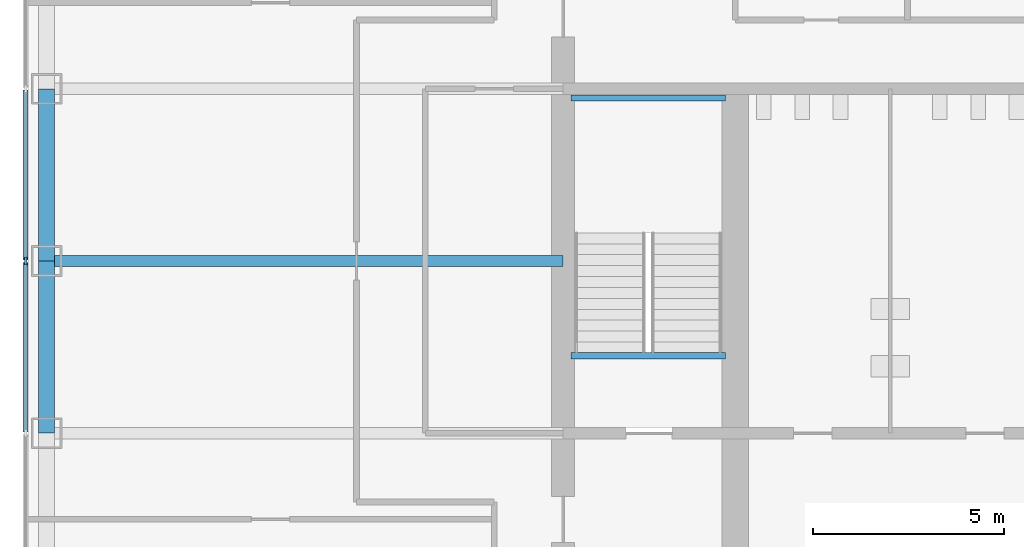
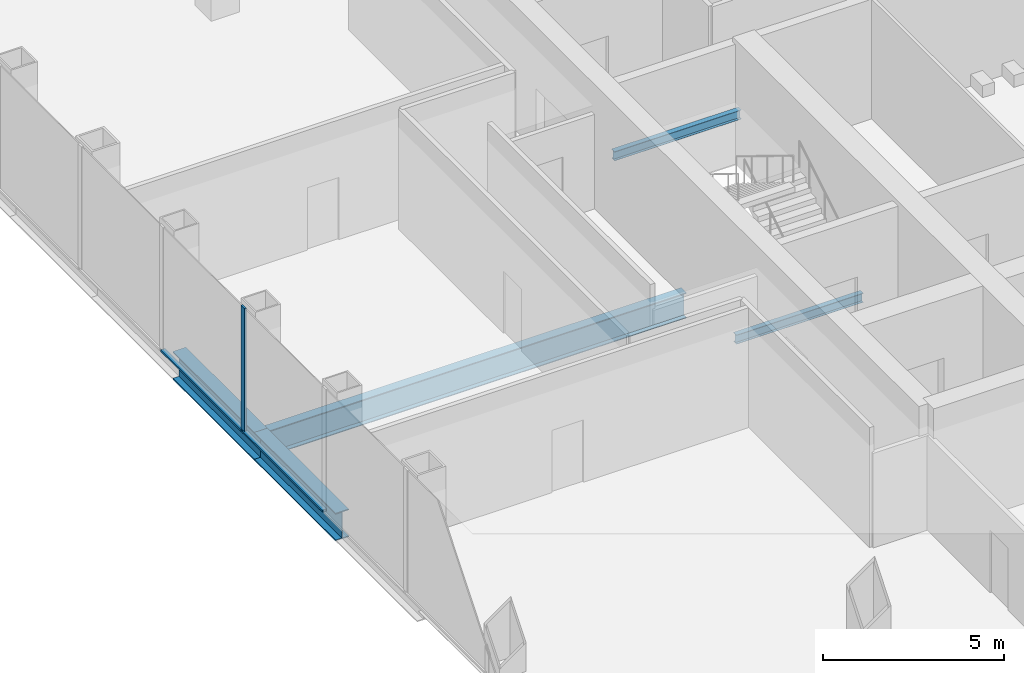
# One storey, part 3 of 13: 5 beams, 3 members, 1 element without a shape of its own.
"""IFC4 building model written with IfcOpenShell, lengths in metres."""

from ifc_helpers import new_model, si_unit, direction, frame, origin, origin_2d, place, context, subcontext, project, spatial, rectangle, i_section, extrude, material, material_profile, profile_set, type_object, element, aggregate, save


model = new_model("IFC4")

# Units and contexts
model_context = context("Model", 3, precision=1e-05, world=origin(), true_north=direction((0.0, 1.0)))
body_context = subcontext(model_context, "Body", "Model", "MODEL_VIEW")
ifc_project = project(units=[si_unit("LENGTHUNIT", "METRE"), si_unit("AREAUNIT", "SQUARE_METRE"), si_unit("VOLUMEUNIT", "CUBIC_METRE"), si_unit("PLANEANGLEUNIT", "RADIAN"), si_unit("MASSUNIT", "GRAM", prefix="KILO")], contexts=[model_context])

# Site, building, storey
site_placement = place(None, origin())
site = spatial("IfcSite", under=ifc_project, at=site_placement, CompositionType="ELEMENT")
building_placement = place(site_placement, origin())
building = spatial("IfcBuilding", under=site, at=building_placement, Name="Corais Broadcast Tower", CompositionType="ELEMENT")
storey_placement = place(building_placement, frame((0.0, 0.0, 96.199951171875)))
storey = spatial("IfcBuildingStorey", under=building, at=storey_placement, Name="L21", CompositionType="ELEMENT", Elevation=96.199951171875)

# Beams
ifc_material_1 = material(Name="Steel ASTM A572 Grade 50", Category="steel")
ifc_material_profile_1 = material_profile(ifc_material_1, i_section(OverallWidth=0.2939453125, OverallDepth=0.85107421875, WebThickness=0.01611328125, FlangeThickness=0.02685546875, at=origin_2d()), Name="W840x226")
ifc_profile_set_1 = profile_set([ifc_material_profile_1], Name="Steel ASTM A572 Grade 50")
beam_type_1 = type_object("IfcBeamType", Name="Floor beam W840x226", PredefinedType="BEAM", material=ifc_profile_set_1)
beam_placement = place(storey_placement, frame((0.0, 27.0, -0.58544921875), z_axis=(1.0, 0.0, 0.0), x_axis=(0.0, 1.0, 0.0)))
element("IfcBeam", 1, at=beam_placement, inside=storey, type_object=beam_type_1, Name="B1 G/3 to G/6", PredefinedType="BEAM", context=body_context, shape_type="SweptSolid", body=[
    extrude(i_section(OverallWidth=0.2939453125, OverallDepth=0.85107421875, WebThickness=0.01611328125, FlangeThickness=0.02685546875, at=origin_2d()), origin(), (0.0, 0.0, 1.0), 13.5),
])
ifc_material_2 = material(Name="Steel ASTM A572 Grade 50", Category="steel")
ifc_material_profile_2 = material_profile(ifc_material_2, i_section(OverallWidth=0.1650390625, OverallDepth=0.31005859375, WebThickness=0.005859375, FlangeThickness=0.009765625, at=origin_2d()), Name="W310x38.7")
ifc_profile_set_2 = profile_set([ifc_material_profile_2], Name="Steel ASTM A572 Grade 50")
beam_type_2 = type_object("IfcBeamType", Name="Landing trimmer W310x38.7", PredefinedType="BEAM", material=ifc_profile_set_2)
for number, where, z_axis, x_axis, name in (
    (2, (13.699951171875, 24.52490234375, -0.35498046875), (1.0, 0.0, 0.0), (0.0, 1.0, 0.0), "LT1 stair A landing trimmer L21"),
    (3, (13.699951171875, 31.260009765625, 1.7451171875), (1.0, 0.0, 0.0), (0.0, 1.0, 0.0), "LT1 stair A half landing trimmer L21"),
):
    element("IfcBeam", number, at=place(storey_placement, frame(where, z_axis=z_axis, x_axis=x_axis)), inside=storey, type_object=beam_type_2, Name=name, PredefinedType="BEAM", context=body_context, shape_type="SweptSolid", body=[
        extrude(i_section(OverallWidth=0.1650390625, OverallDepth=0.31005859375, WebThickness=0.005859375, FlangeThickness=0.009765625, at=origin_2d()), origin(), (0.0, 0.0, 1.0), 4.050048828125),
    ])

# Curtain wall, member
ifc_material_3 = material(Name="Aluminium and glass", Category="aluminium")
curtain_wall_type = type_object("IfcCurtainWallType", Name="Unitised fritted curtain wall CW1", PredefinedType="NOTDEFINED", material=ifc_material_3)
curtain_wall_placement = place(storey_placement, origin())
curtain_wall = element("IfcCurtainWall", 4, at=curtain_wall_placement, inside=storey, type_object=curtain_wall_type, Name="CW1 curtain wall L21 2", PredefinedType="NOTDEFINED")
ifc_material_4 = material(Name="Aluminium 6063-T6", Category="aluminium")
ifc_material_profile_3 = material_profile(ifc_material_4, rectangle(XDim=0.06494140625, YDim=0.199951171875, at=origin_2d()), Name="Mullion CW1 65x200")
ifc_profile_set_3 = profile_set([ifc_material_profile_3], Name="Aluminium 6063-T6")
member_type_1 = type_object("IfcMemberType", Name="Mullion CW1 65x200", PredefinedType="MULLION", material=ifc_profile_set_3)
member_1_placement = place(storey_placement, frame((-0.550048828125, 27.0, 0.0), z_axis=(0.0, 0.0, 1.0), x_axis=(-1.0, 0.0, 0.0)))
member_1 = element("IfcMember", 5, at=member_1_placement, type_object=member_type_1, Name="CW1 mullion 6", PredefinedType="MULLION", context=body_context, shape_type="SweptSolid", body=[
    extrude(rectangle(XDim=0.06494140625, YDim=0.199951171875, at=origin_2d()), origin(), (0.0, 0.0, 1.0), 4.199951171875),
])

# Beams
ifc_material_5 = material(Name="Steel ASTM A572 Grade 50", Category="steel")
ifc_material_profile_4 = material_profile(ifc_material_5, i_section(OverallWidth=0.4189453125, OverallDepth=0.94189453125, WebThickness=0.022216796875, FlangeThickness=0.03662109375, at=origin_2d()), Name="W920x345")
ifc_profile_set_4 = profile_set([ifc_material_profile_4], Name="Steel ASTM A572 Grade 50")
beam_type_3 = type_object("IfcBeamType", Name="Transfer spandrel W920x345", PredefinedType="BEAM", material=ifc_profile_set_4)
for number, where, z_axis, x_axis, name in (
    (6, (0.0, 27.0, -0.630859375), (0.0, -1.0, 0.0), (1.0, 0.0, 0.0), "SB4 G/3 to F/3"),
    (7, (0.0, 31.5, -0.630859375), (0.0, -1.0, 0.0), (1.0, 0.0, 0.0), "SB4 H/3 to G/3"),
):
    element("IfcBeam", number, at=place(storey_placement, frame(where, z_axis=z_axis, x_axis=x_axis)), inside=storey, type_object=beam_type_3, Name=name, PredefinedType="BEAM", context=body_context, shape_type="SweptSolid", body=[
        extrude(i_section(OverallWidth=0.4189453125, OverallDepth=0.94189453125, WebThickness=0.022216796875, FlangeThickness=0.03662109375, at=origin_2d()), origin(), (0.0, 0.0, 1.0), 4.5),
    ])

# Member
ifc_material_6 = material(Name="Aluminium 6063-T6", Category="aluminium")
ifc_material_profile_5 = material_profile(ifc_material_6, rectangle(XDim=0.139892578125, YDim=0.06494140625, at=origin_2d()), Name="Transom CW1 65x140")
ifc_profile_set_5 = profile_set([ifc_material_profile_5], Name="Aluminium 6063-T6")
member_type_2 = type_object("IfcMemberType", Name="Transom CW1 65x140", PredefinedType="USERDEFINED", material=ifc_profile_set_5)
member_2_placement = place(storey_placement, frame((-0.550048828125, 22.532470703125, 0.032470703125), z_axis=(0.0, 1.0, 0.0), x_axis=(-1.0, 0.0, 0.0)))
member_2 = element("IfcMember", 8, at=member_2_placement, type_object=member_type_2, Name="CW1 transom 5.1", ObjectType="TRANSOM", PredefinedType="USERDEFINED", context=body_context, shape_type="SweptSolid", body=[
    extrude(rectangle(XDim=0.139892578125, YDim=0.06494140625, at=origin_2d()), origin(), (0.0, 0.0, 1.0), 4.43505859375),
])

member_3_placement = place(storey_placement, frame((-0.550048828125, 27.032470703125, 0.032470703125), z_axis=(0.0, 1.0, 0.0), x_axis=(-1.0, 0.0, 0.0)))
member_3 = element("IfcMember", 9, at=member_3_placement, type_object=member_type_2, Name="CW1 transom 6.1", ObjectType="TRANSOM", PredefinedType="USERDEFINED", context=body_context, shape_type="SweptSolid", body=[
    extrude(rectangle(XDim=0.139892578125, YDim=0.06494140625, at=origin_2d()), origin(), (0.0, 0.0, 1.0), 4.43505859375),
])

aggregate(curtain_wall, [member_1, member_2, member_3])

save(model, "model.ifc")
